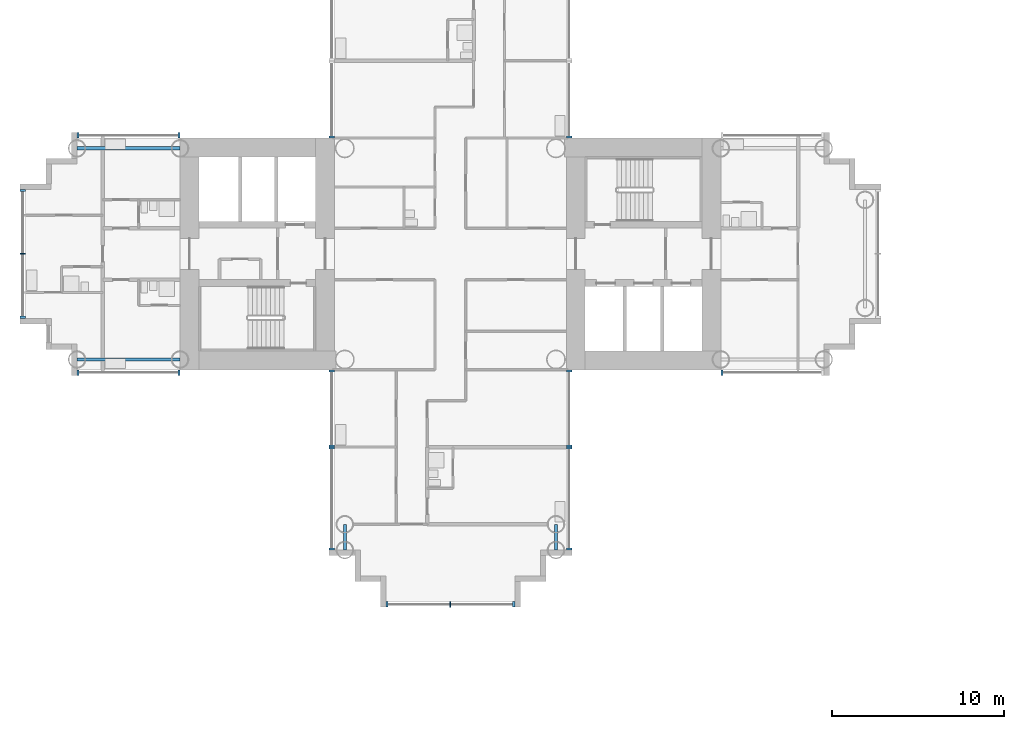
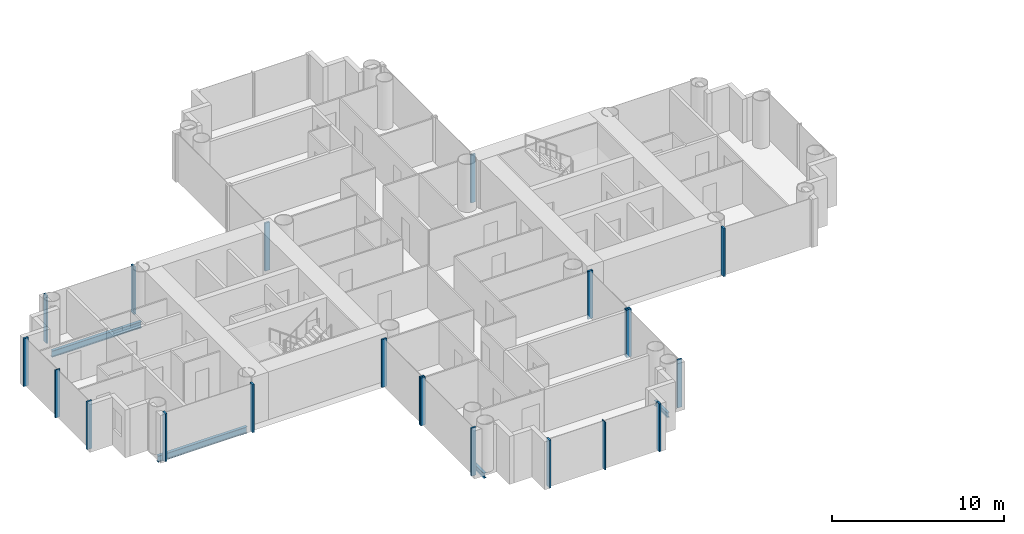
# One storey, part 3 of 22: 21 members, 4 beams, 11 elements without a shape of their own.
"""IFC4 building model written with IfcOpenShell, lengths in metres."""

from ifc_helpers import new_model, si_unit, direction, frame, origin, origin_2d, place, context, subcontext, project, spatial, rectangle, i_section, extrude, material, layer, layer_set, material_profile, profile_set, type_object, element, aggregate, save


model = new_model("IFC4")

# Units and contexts
model_context = context("Model", 3, precision=1e-05, world=origin(), true_north=direction((0.0, 1.0)))
body_context = subcontext(model_context, "Body", "Model", "MODEL_VIEW")
ifc_project = project(units=[si_unit("LENGTHUNIT", "METRE"), si_unit("AREAUNIT", "SQUARE_METRE"), si_unit("VOLUMEUNIT", "CUBIC_METRE"), si_unit("PLANEANGLEUNIT", "RADIAN"), si_unit("MASSUNIT", "GRAM", prefix="KILO")], contexts=[model_context])

# Site, building, storey
site_placement = place(None, origin())
site = spatial("IfcSite", under=ifc_project, at=site_placement, CompositionType="ELEMENT")
building_placement = place(site_placement, origin())
building = spatial("IfcBuilding", under=site, at=building_placement, Name="Ipe Terrace Towers", CompositionType="ELEMENT")
storey_placement = place(building_placement, frame((0.0, 0.0, 55.10009765625)))
storey = spatial("IfcBuildingStorey", under=building, at=storey_placement, Name="L14", CompositionType="ELEMENT", Elevation=55.10009765625)

# Beams
ifc_material_1 = material(Name="Steel S355", Category="steel")
ifc_material_profile_1 = material_profile(ifc_material_1, i_section(OverallWidth=0.175048828125, OverallDepth=0.35009765625, WebThickness=0.007080078125, FlangeThickness=0.010986328125, at=origin_2d()), Name="H-350x175x7x11")
ifc_profile_set_1 = profile_set([ifc_material_profile_1], Name="Steel S355")
beam_type_1 = type_object("IfcBeamType", Name="H04 EDGE BEAM H-350x175x7x11", PredefinedType="BEAM", material=ifc_profile_set_1)
for number, where, z_axis, x_axis, name in (
    (1, (-42.14990234375, -15.75, -0.5751953125), (0.0, -1.0, 0.0), (1.0, 0.0, 0.0), "Edge beam T1-EB-D03-D05"),
    (2, (-29.85009765625, -15.75, -0.5751953125), (0.0, -1.0, 0.0), (1.0, 0.0, 0.0), "Edge beam T1-EB-D04-D06"),
):
    element("IfcBeam", number, at=place(storey_placement, frame(where, z_axis=z_axis, x_axis=x_axis)), inside=storey, type_object=beam_type_1, Name=name, PredefinedType="BEAM", context=body_context, shape_type="SweptSolid", body=[
        extrude(i_section(OverallWidth=0.175048828125, OverallDepth=0.35009765625, WebThickness=0.007080078125, FlangeThickness=0.010986328125, at=origin_2d()), origin(), (0.0, 0.0, 1.0), 1.5),
    ])
ifc_material_2 = material(Name="Steel S355", Category="steel")
ifc_material_profile_2 = material_profile(ifc_material_2, i_section(OverallWidth=0.199951171875, OverallDepth=0.449951171875, WebThickness=0.009033203125, FlangeThickness=0.013916015625, at=origin_2d()), Name="H-450x200x9x14")
ifc_profile_set_2 = profile_set([ifc_material_profile_2], Name="Steel S355")
beam_type_2 = type_object("IfcBeamType", Name="H08 EDGE BEAM H-450x200x9x14", PredefinedType="BEAM", material=ifc_profile_set_2)
for number, where, z_axis, x_axis, name in (
    (3, (-51.75, -6.14990234375, -0.625), (-1.0, 0.0, 0.0), (0.0, -1.0, 0.0), "Edge beam T1-EB-C01-C03"),
    (4, (-51.75, 6.14990234375, -0.625), (-1.0, 0.0, 0.0), (0.0, -1.0, 0.0), "Edge beam T1-EB-C02-C04"),
):
    element("IfcBeam", number, at=place(storey_placement, frame(where, z_axis=z_axis, x_axis=x_axis)), inside=storey, type_object=beam_type_2, Name=name, PredefinedType="BEAM", context=body_context, shape_type="SweptSolid", body=[
        extrude(i_section(OverallWidth=0.199951171875, OverallDepth=0.449951171875, WebThickness=0.009033203125, FlangeThickness=0.013916015625, at=origin_2d()), origin(), (0.0, 0.0, 1.0), 6.0),
    ])

# Curtain wall, members
ifc_material_3 = material(Name="Aluminium alloy 6063-T6", Category="aluminium")
ifc_layer = layer(ifc_material_3, 0.320068359375)
ifc_layer_set = layer_set([ifc_layer], Name="TOWER UNITISED CURTAIN WALL")
curtain_wall_type = type_object("IfcCurtainWallType", Name="TOWER UNITISED CURTAIN WALL", PredefinedType="NOTDEFINED", material=ifc_layer_set)
curtain_wall_1_placement = place(storey_placement, origin())
curtain_wall_1 = element("IfcCurtainWall", 5, at=curtain_wall_1_placement, inside=storey, type_object=curtain_wall_type, Name="T1-CW-L14-04a curtain wall", PredefinedType="NOTDEFINED")
ifc_material_4 = material(Name="Aluminium alloy 6063-T6", Category="aluminium")
ifc_material_profile_3 = material_profile(ifc_material_4, rectangle(XDim=0.320068359375, YDim=0.1201171875, at=origin_2d()), Name="TOWER UNITISED CORNER MULLION 320 x 120")
ifc_profile_set_3 = profile_set([ifc_material_profile_3], Name="Aluminium alloy 6063-T6")
member_type_1 = type_object("IfcMemberType", Name="TOWER UNITISED CORNER MULLION 320 x 120", PredefinedType="MULLION", material=ifc_profile_set_3)
member_1_placement = place(storey_placement, frame((-57.68994140625, -6.909912109375, -0.300048828125), z_axis=(0.0, 0.0, 1.0), x_axis=(0.0, -1.0, 0.0)))
member_1 = element("IfcMember", 6, at=member_1_placement, type_object=member_type_1, Name="T1-CW-L14-04a mullion 1", PredefinedType="MULLION", context=body_context, shape_type="SweptSolid", body=[
    extrude(rectangle(XDim=0.320068359375, YDim=0.1201171875, at=origin_2d()), origin(), (0.0, 0.0, 1.0), 3.39990234375),
])
member_2_placement = place(storey_placement, frame((-51.81103515625, -6.909912109375, -0.300048828125), z_axis=(0.0, 0.0, 1.0), x_axis=(0.0, -1.0, 0.0)))
member_2 = element("IfcMember", 7, at=member_2_placement, type_object=member_type_1, Name="T1-CW-L14-04a mullion 2", PredefinedType="MULLION", context=body_context, shape_type="SweptSolid", body=[
    extrude(rectangle(XDim=0.320068359375, YDim=0.1201171875, at=origin_2d()), origin(), (0.0, 0.0, 1.0), 3.39990234375),
])
aggregate(curtain_wall_1, [member_1, member_2])

curtain_wall_2_placement = place(storey_placement, origin())
curtain_wall_2 = element("IfcCurtainWall", 8, at=curtain_wall_2_placement, inside=storey, type_object=curtain_wall_type, Name="T1-CW-L14-06a curtain wall", PredefinedType="NOTDEFINED")
member_3_placement = place(storey_placement, frame((-42.909912109375, -6.81005859375, -0.300048828125), z_axis=(0.0, 0.0, 1.0), x_axis=(-1.0, 0.0, 0.0)))
member_3 = element("IfcMember", 9, at=member_3_placement, type_object=member_type_1, Name="T1-CW-L14-06a mullion 1", PredefinedType="MULLION", context=body_context, shape_type="SweptSolid", body=[
    extrude(rectangle(XDim=0.320068359375, YDim=0.1201171875, at=origin_2d()), origin(), (0.0, 0.0, 1.0), 3.39990234375),
])
member_4_placement = place(storey_placement, frame((-42.909912109375, -11.18994140625, -0.300048828125), z_axis=(0.0, 0.0, 1.0), x_axis=(-1.0, 0.0, 0.0)))
member_4 = element("IfcMember", 10, at=member_4_placement, type_object=member_type_1, Name="T1-CW-L14-06a mullion 2", PredefinedType="MULLION", context=body_context, shape_type="SweptSolid", body=[
    extrude(rectangle(XDim=0.320068359375, YDim=0.1201171875, at=origin_2d()), origin(), (0.0, 0.0, 1.0), 3.39990234375),
])
aggregate(curtain_wall_2, [member_3, member_4])

curtain_wall_3_placement = place(storey_placement, origin())
curtain_wall_3 = element("IfcCurtainWall", 11, at=curtain_wall_3_placement, inside=storey, type_object=curtain_wall_type, Name="T1-CW-L14-07a curtain wall", PredefinedType="NOTDEFINED")
member_5_placement = place(storey_placement, frame((-42.909912109375, -11.31005859375, -0.300048828125), z_axis=(0.0, 0.0, 1.0), x_axis=(-1.0, 0.0, 0.0)))
member_5 = element("IfcMember", 12, at=member_5_placement, type_object=member_type_1, Name="T1-CW-L14-07a mullion 1", PredefinedType="MULLION", context=body_context, shape_type="SweptSolid", body=[
    extrude(rectangle(XDim=0.320068359375, YDim=0.1201171875, at=origin_2d()), origin(), (0.0, 0.0, 1.0), 3.39990234375),
])
member_6_placement = place(storey_placement, frame((-42.909912109375, -17.18994140625, -0.300048828125), z_axis=(0.0, 0.0, 1.0), x_axis=(-1.0, 0.0, 0.0)))
member_6 = element("IfcMember", 13, at=member_6_placement, type_object=member_type_1, Name="T1-CW-L14-07a mullion 2", PredefinedType="MULLION", context=body_context, shape_type="SweptSolid", body=[
    extrude(rectangle(XDim=0.320068359375, YDim=0.1201171875, at=origin_2d()), origin(), (0.0, 0.0, 1.0), 3.39990234375),
])
aggregate(curtain_wall_3, [member_5, member_6])

curtain_wall_4_placement = place(storey_placement, origin())
curtain_wall_4 = element("IfcCurtainWall", 14, at=curtain_wall_4_placement, inside=storey, type_object=curtain_wall_type, Name="T1-CW-L14-12a curtain wall", PredefinedType="NOTDEFINED")
member_7_placement = place(storey_placement, frame((-39.68994140625, -20.409912109375, -0.300048828125), z_axis=(0.0, 0.0, 1.0), x_axis=(0.0, -1.0, 0.0)))
member_7 = element("IfcMember", 15, at=member_7_placement, type_object=member_type_1, Name="T1-CW-L14-12a mullion 1", PredefinedType="MULLION", context=body_context, shape_type="SweptSolid", body=[
    extrude(rectangle(XDim=0.320068359375, YDim=0.1201171875, at=origin_2d()), origin(), (0.0, 0.0, 1.0), 3.39990234375),
])
member_8_placement = place(storey_placement, frame((-32.31005859375, -20.409912109375, -0.300048828125), z_axis=(0.0, 0.0, 1.0), x_axis=(0.0, -1.0, 0.0)))
member_8 = element("IfcMember", 16, at=member_8_placement, type_object=member_type_1, Name="T1-CW-L14-12a mullion 3", PredefinedType="MULLION", context=body_context, shape_type="SweptSolid", body=[
    extrude(rectangle(XDim=0.320068359375, YDim=0.1201171875, at=origin_2d()), origin(), (0.0, 0.0, 1.0), 3.39990234375),
])

curtain_wall_5_placement = place(storey_placement, origin())
curtain_wall_5 = element("IfcCurtainWall", 17, at=curtain_wall_5_placement, inside=storey, type_object=curtain_wall_type, Name="T1-CW-L14-17a curtain wall", PredefinedType="NOTDEFINED")
member_9_placement = place(storey_placement, frame((-29.090087890625, -17.18994140625, -0.300048828125), z_axis=(0.0, 0.0, 1.0), x_axis=(1.0, 0.0, 0.0)))
member_9 = element("IfcMember", 18, at=member_9_placement, type_object=member_type_1, Name="T1-CW-L14-17a mullion 1", PredefinedType="MULLION", context=body_context, shape_type="SweptSolid", body=[
    extrude(rectangle(XDim=0.320068359375, YDim=0.1201171875, at=origin_2d()), origin(), (0.0, 0.0, 1.0), 3.39990234375),
])
member_10_placement = place(storey_placement, frame((-29.090087890625, -11.31005859375, -0.300048828125), z_axis=(0.0, 0.0, 1.0), x_axis=(1.0, 0.0, 0.0)))
member_10 = element("IfcMember", 19, at=member_10_placement, type_object=member_type_1, Name="T1-CW-L14-17a mullion 2", PredefinedType="MULLION", context=body_context, shape_type="SweptSolid", body=[
    extrude(rectangle(XDim=0.320068359375, YDim=0.1201171875, at=origin_2d()), origin(), (0.0, 0.0, 1.0), 3.39990234375),
])
aggregate(curtain_wall_5, [member_9, member_10])

curtain_wall_6_placement = place(storey_placement, origin())
curtain_wall_6 = element("IfcCurtainWall", 20, at=curtain_wall_6_placement, inside=storey, type_object=curtain_wall_type, Name="T1-CW-L14-18a curtain wall", PredefinedType="NOTDEFINED")
member_11_placement = place(storey_placement, frame((-29.090087890625, -11.18994140625, -0.300048828125), z_axis=(0.0, 0.0, 1.0), x_axis=(1.0, 0.0, 0.0)))
member_11 = element("IfcMember", 21, at=member_11_placement, type_object=member_type_1, Name="T1-CW-L14-18a mullion 1", PredefinedType="MULLION", context=body_context, shape_type="SweptSolid", body=[
    extrude(rectangle(XDim=0.320068359375, YDim=0.1201171875, at=origin_2d()), origin(), (0.0, 0.0, 1.0), 3.39990234375),
])
member_12_placement = place(storey_placement, frame((-29.090087890625, -6.81005859375, -0.300048828125), z_axis=(0.0, 0.0, 1.0), x_axis=(1.0, 0.0, 0.0)))
member_12 = element("IfcMember", 22, at=member_12_placement, type_object=member_type_1, Name="T1-CW-L14-18a mullion 2", PredefinedType="MULLION", context=body_context, shape_type="SweptSolid", body=[
    extrude(rectangle(XDim=0.320068359375, YDim=0.1201171875, at=origin_2d()), origin(), (0.0, 0.0, 1.0), 3.39990234375),
])
aggregate(curtain_wall_6, [member_11, member_12])

# Curtain wall, member
curtain_wall_7_placement = place(storey_placement, origin())
curtain_wall_7 = element("IfcCurtainWall", 23, at=curtain_wall_7_placement, inside=storey, type_object=curtain_wall_type, Name="T1-CW-L14-20b curtain wall", PredefinedType="NOTDEFINED")
member_13_placement = place(storey_placement, frame((-20.18896484375, -6.909912109375, -0.300048828125), z_axis=(0.0, 0.0, 1.0), x_axis=(0.0, -1.0, 0.0)))
member_13 = element("IfcMember", 24, at=member_13_placement, type_object=member_type_1, Name="T1-CW-L14-20b mullion 1", PredefinedType="MULLION", context=body_context, shape_type="SweptSolid", body=[
    extrude(rectangle(XDim=0.320068359375, YDim=0.1201171875, at=origin_2d()), origin(), (0.0, 0.0, 1.0), 3.39990234375),
])
aggregate(curtain_wall_7, [member_13])

curtain_wall_8_placement = place(storey_placement, origin())
curtain_wall_8 = element("IfcCurtainWall", 25, at=curtain_wall_8_placement, inside=storey, type_object=curtain_wall_type, Name="T1-CW-L14-32a curtain wall", PredefinedType="NOTDEFINED")
member_14_placement = place(storey_placement, frame((-29.090087890625, 6.81005859375, -0.300048828125), z_axis=(0.0, 0.0, 1.0), x_axis=(1.0, 0.0, 0.0)))
member_14 = element("IfcMember", 26, at=member_14_placement, type_object=member_type_1, Name="T1-CW-L14-32a mullion 1", PredefinedType="MULLION", context=body_context, shape_type="SweptSolid", body=[
    extrude(rectangle(XDim=0.320068359375, YDim=0.1201171875, at=origin_2d()), origin(), (0.0, 0.0, 1.0), 3.39990234375),
])
aggregate(curtain_wall_8, [member_14])

curtain_wall_9_placement = place(storey_placement, origin())
curtain_wall_9 = element("IfcCurtainWall", 27, at=curtain_wall_9_placement, inside=storey, type_object=curtain_wall_type, Name="T1-CW-L14-44a curtain wall", PredefinedType="NOTDEFINED")
member_15_placement = place(storey_placement, frame((-42.909912109375, 6.81005859375, -0.300048828125), z_axis=(0.0, 0.0, 1.0), x_axis=(-1.0, 0.0, 0.0)))
member_15 = element("IfcMember", 28, at=member_15_placement, type_object=member_type_1, Name="T1-CW-L14-44a mullion 2", PredefinedType="MULLION", context=body_context, shape_type="SweptSolid", body=[
    extrude(rectangle(XDim=0.320068359375, YDim=0.1201171875, at=origin_2d()), origin(), (0.0, 0.0, 1.0), 3.39990234375),
])
aggregate(curtain_wall_9, [member_15])

# Curtain wall, members
curtain_wall_10_placement = place(storey_placement, origin())
curtain_wall_10 = element("IfcCurtainWall", 29, at=curtain_wall_10_placement, inside=storey, type_object=curtain_wall_type, Name="T1-CW-L14-46b curtain wall", PredefinedType="NOTDEFINED")
member_16_placement = place(storey_placement, frame((-51.81103515625, 6.909912109375, -0.300048828125), z_axis=(0.0, 0.0, 1.0), x_axis=(0.0, 1.0, 0.0)))
member_16 = element("IfcMember", 30, at=member_16_placement, type_object=member_type_1, Name="T1-CW-L14-46b mullion 1", PredefinedType="MULLION", context=body_context, shape_type="SweptSolid", body=[
    extrude(rectangle(XDim=0.320068359375, YDim=0.1201171875, at=origin_2d()), origin(), (0.0, 0.0, 1.0), 3.39990234375),
])
member_17_placement = place(storey_placement, frame((-57.68994140625, 6.909912109375, -0.300048828125), z_axis=(0.0, 0.0, 1.0), x_axis=(0.0, 1.0, 0.0)))
member_17 = element("IfcMember", 31, at=member_17_placement, type_object=member_type_1, Name="T1-CW-L14-46b mullion 2", PredefinedType="MULLION", context=body_context, shape_type="SweptSolid", body=[
    extrude(rectangle(XDim=0.320068359375, YDim=0.1201171875, at=origin_2d()), origin(), (0.0, 0.0, 1.0), 3.39990234375),
])
aggregate(curtain_wall_10, [member_16, member_17])

curtain_wall_11_placement = place(storey_placement, origin())
curtain_wall_11 = element("IfcCurtainWall", 32, at=curtain_wall_11_placement, inside=storey, type_object=curtain_wall_type, Name="T1-CW-L14-51a curtain wall", PredefinedType="NOTDEFINED")
member_18_placement = place(storey_placement, frame((-60.909912109375, 3.68994140625, -0.300048828125), z_axis=(0.0, 0.0, 1.0), x_axis=(-1.0, 0.0, 0.0)))
member_18 = element("IfcMember", 33, at=member_18_placement, type_object=member_type_1, Name="T1-CW-L14-51a mullion 1", PredefinedType="MULLION", context=body_context, shape_type="SweptSolid", body=[
    extrude(rectangle(XDim=0.320068359375, YDim=0.1201171875, at=origin_2d()), origin(), (0.0, 0.0, 1.0), 3.39990234375),
])
member_19_placement = place(storey_placement, frame((-60.909912109375, -3.68994140625, -0.300048828125), z_axis=(0.0, 0.0, 1.0), x_axis=(-1.0, 0.0, 0.0)))
member_19 = element("IfcMember", 34, at=member_19_placement, type_object=member_type_1, Name="T1-CW-L14-51a mullion 3", PredefinedType="MULLION", context=body_context, shape_type="SweptSolid", body=[
    extrude(rectangle(XDim=0.320068359375, YDim=0.1201171875, at=origin_2d()), origin(), (0.0, 0.0, 1.0), 3.39990234375),
])

# Member
ifc_material_5 = material(Name="Aluminium alloy 6063-T6", Category="aluminium")
ifc_material_profile_4 = material_profile(ifc_material_5, rectangle(XDim=0.320068359375, YDim=0.06494140625, at=origin_2d()), Name="TOWER UNITISED MULLION 320 x 65")
ifc_profile_set_4 = profile_set([ifc_material_profile_4], Name="Aluminium alloy 6063-T6")
member_type_2 = type_object("IfcMemberType", Name="TOWER UNITISED MULLION 320 x 65", PredefinedType="MULLION", material=ifc_profile_set_4)
member_20_placement = place(storey_placement, frame((-36.0, -20.409912109375, -0.300048828125), z_axis=(0.0, 0.0, 1.0), x_axis=(0.0, -1.0, 0.0)))
member_20 = element("IfcMember", 35, at=member_20_placement, type_object=member_type_2, Name="T1-CW-L14-12a mullion 2", PredefinedType="MULLION", context=body_context, shape_type="SweptSolid", body=[
    extrude(rectangle(XDim=0.320068359375, YDim=0.06494140625, at=origin_2d()), origin(), (0.0, 0.0, 1.0), 3.39990234375),
])

aggregate(curtain_wall_4, [member_7, member_20, member_8])

member_21_placement = place(storey_placement, frame((-60.909912109375, 0.0, -0.300048828125), z_axis=(0.0, 0.0, 1.0), x_axis=(-1.0, 0.0, 0.0)))
member_21 = element("IfcMember", 36, at=member_21_placement, type_object=member_type_2, Name="T1-CW-L14-51a mullion 2", PredefinedType="MULLION", context=body_context, shape_type="SweptSolid", body=[
    extrude(rectangle(XDim=0.320068359375, YDim=0.06494140625, at=origin_2d()), origin(), (0.0, 0.0, 1.0), 3.39990234375),
])

aggregate(curtain_wall_11, [member_18, member_21, member_19])

save(model, "model.ifc")
